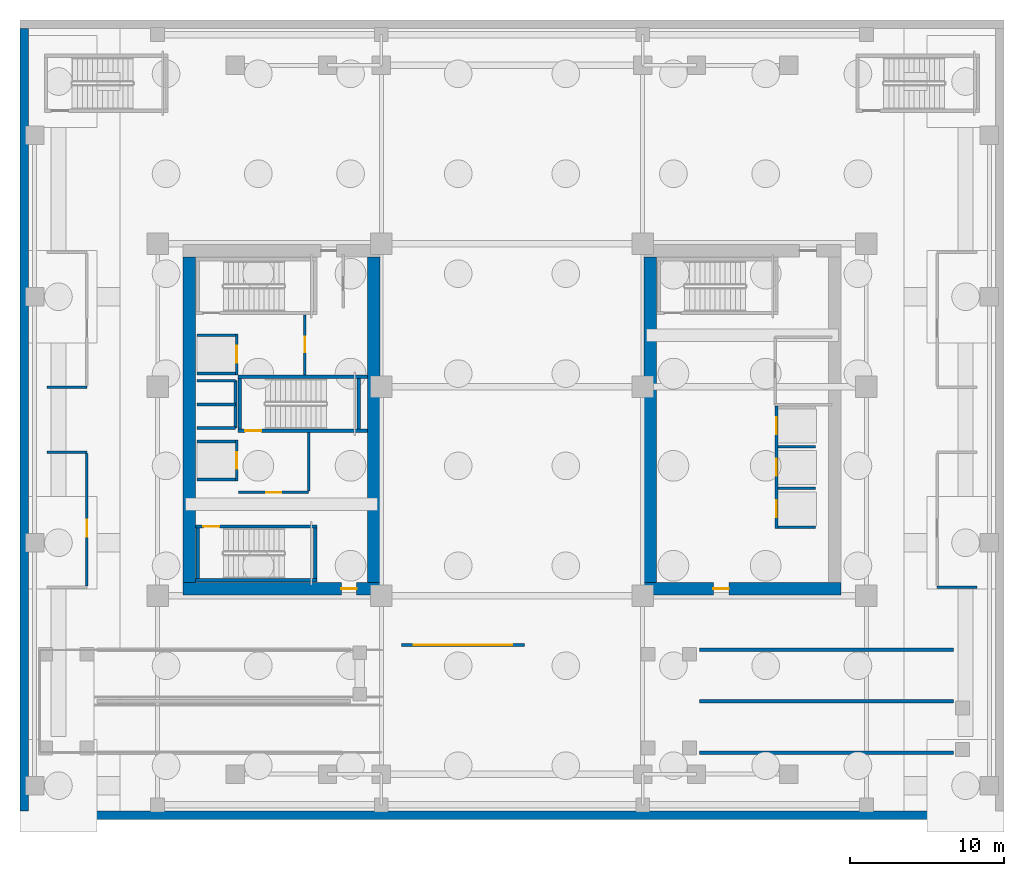
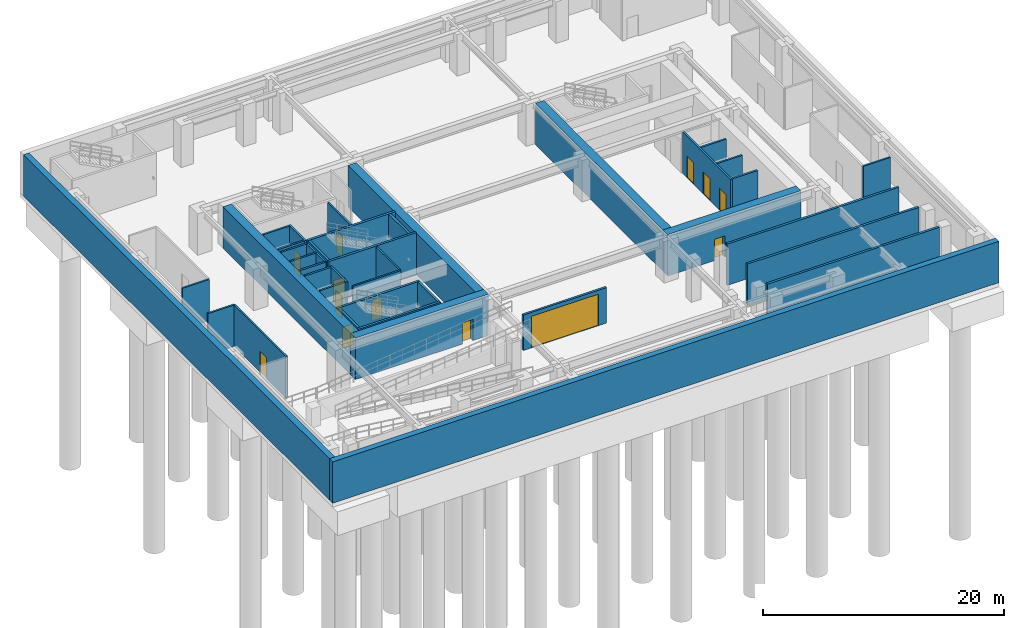
# One storey, part 3 of 9: 40 walls, 13 doors, 13 openings.
"""IFC4 building model written with IfcOpenShell, lengths in metres."""

from ifc_helpers import new_model, si_unit, direction, frame, frame_2d, origin, place, context, subcontext, project, spatial, rectangle, extrude, source, transform, mapped, material, layer, layer_set, type_object, element, fill, save


model = new_model("IFC4")

# Units and contexts
model_context = context("Model", 3, precision=1e-05, world=origin(), true_north=direction((0.0, 1.0)))
body_context = subcontext(model_context, "Body", "Model", "MODEL_VIEW")
ifc_project = project(units=[si_unit("LENGTHUNIT", "METRE"), si_unit("AREAUNIT", "SQUARE_METRE"), si_unit("VOLUMEUNIT", "CUBIC_METRE"), si_unit("PLANEANGLEUNIT", "RADIAN"), si_unit("MASSUNIT", "GRAM", prefix="KILO")], contexts=[model_context])

# Site, building, storey
site_placement = place(None, origin())
site = spatial("IfcSite", under=ifc_project, at=site_placement, CompositionType="ELEMENT")
building_placement = place(site_placement, origin())
building = spatial("IfcBuilding", under=site, at=building_placement, Name="Ocotamira Hotel", CompositionType="ELEMENT")
storey_placement = place(building_placement, frame((0.0, 0.0, -9.0)))
storey = spatial("IfcBuildingStorey", under=building, at=storey_placement, Name="B02", CompositionType="ELEMENT", Elevation=-9.0)

# Wall, opening, door
ifc_material_1 = material(Name="Concrete C60/75", Category="concrete")
ifc_layer_1 = layer(ifc_material_1, 0.800048828125)
ifc_layer_set_1 = layer_set([ifc_layer_1], Name="Concrete C60/75")
wall_type_1 = type_object("IfcWallType", Name="WL-CORE-800", PredefinedType="SHEAR", material=ifc_layer_set_1)
wall_1_placement = place(storey_placement, frame((10.60009765625, 15.0, 0.0), z_axis=(0.0, 0.0, 1.0), x_axis=(1.0, 0.0, 0.0)))
wall_1 = element("IfcWall", 1, at=wall_1_placement, inside=storey, type_object=wall_type_1, Name="B02 Shear Core Wall WCORE-S", PredefinedType="SHEAR", context=body_context, shape_type="SweptSolid", body=[
    extrude(rectangle(XDim=12.7998046875, YDim=0.800048828125, at=frame_2d((6.39990234375, 0.0))), origin(), (0.0, 0.0, 1.0), 4.199951171875),
])
opening_1_placement = place(wall_1_placement, frame((10.300048828125, 0.0, 0.0)))
opening_1 = element("IfcOpeningElement", 2, at=opening_1_placement, cuts=wall_1, Name="Opening D-FR2", PredefinedType="OPENING", context=body_context, shape_type="SweptSolid", body=[
    extrude(rectangle(XDim=1.0, YDim=2.14990234375, at=frame_2d((0.5, 1.074951171875))), frame((0.0, 0.41015625, 0.0), z_axis=(0.0, -1.0, 0.0), x_axis=(1.0, 0.0, 0.0)), (0.0, 0.0, 1.0), 0.820068359375),
])
ifc_material_2 = material(Name="Fire-rated acoustic timber-veneer door", Category="wood")
door_type_1 = type_object("IfcDoorType", Name="DR-FIRE-1000", OperationType="NOTDEFINED", PredefinedType="DOOR", material=ifc_material_2)
shared_shape_1 = source(origin(), body_context, "Body", "SweptSolid", [
    extrude(rectangle(XDim=1.0, YDim=2.14990234375, at=frame_2d((0.5, 1.074951171875))), frame((0.0, 0.02490234375, 0.0), z_axis=(0.0, -1.0, 0.0), x_axis=(1.0, 0.0, 0.0)), (0.0, 0.0, 1.0), 0.050048828125),
])
door_1_placement = place(opening_1_placement, origin())
door_1 = element("IfcDoor", 3, at=door_1_placement, inside=storey, type_object=door_type_1, Name="B02 Door ID-B02-WLOB-S-D [ID-B02-WLOB-S-D]", OperationType="SINGLE_SWING_LEFT", OverallHeight=2.14990234375, OverallWidth=1.0, PredefinedType="DOOR", context=body_context, shape_type="MappedRepresentation", body=[
    mapped(shared_shape_1, transform((0.0, 0.0, 0.0), scale=1.0)),
])
fill(opening_1, door_1)

# Walls
for number, where, z_axis, x_axis, name in (
    (4, (11.0, 15.39990234375, 0.0), (0.0, 0.0, 1.0), (0.0, 1.0, 0.0), "B02 Shear Core Wall WCORE-W"),
    (5, (23.0, 15.39990234375, 0.0), (0.0, 0.0, 1.0), (0.0, 1.0, 0.0), "B02 Shear Core Wall WCORE-E"),
):
    element("IfcWall", number, at=place(storey_placement, frame(where, z_axis=z_axis, x_axis=x_axis)), inside=storey, type_object=wall_type_1, Name=name, PredefinedType="SHEAR", context=body_context, shape_type="SweptSolid", body=[
        extrude(rectangle(XDim=21.2001953125, YDim=0.800048828125, at=frame_2d((10.60009765625, 0.0))), origin(), (0.0, 0.0, 1.0), 4.199951171875),
    ])

# Wall, opening, door
wall_2_placement = place(storey_placement, frame((40.60009765625, 15.0, 0.0), z_axis=(0.0, 0.0, 1.0), x_axis=(1.0, 0.0, 0.0)))
wall_2 = element("IfcWall", 6, at=wall_2_placement, inside=storey, type_object=wall_type_1, Name="B02 Shear Core Wall ECORE-S", PredefinedType="SHEAR", context=body_context, shape_type="SweptSolid", body=[
    extrude(rectangle(XDim=12.7998046875, YDim=0.800048828125, at=frame_2d((6.39990234375, 0.0))), origin(), (0.0, 0.0, 1.0), 4.199951171875),
])
opening_2_placement = place(wall_2_placement, frame((4.5, 0.0, 0.0)))
opening_2 = element("IfcOpeningElement", 7, at=opening_2_placement, cuts=wall_2, Name="Opening D-FR2", PredefinedType="OPENING", context=body_context, shape_type="SweptSolid", body=[
    extrude(rectangle(XDim=1.0, YDim=2.14990234375, at=frame_2d((0.5, 1.074951171875))), frame((0.0, 0.41015625, 0.0), z_axis=(0.0, -1.0, 0.0), x_axis=(1.0, 0.0, 0.0)), (0.0, 0.0, 1.0), 0.820068359375),
])
door_2_placement = place(opening_2_placement, origin())
door_2 = element("IfcDoor", 8, at=door_2_placement, inside=storey, type_object=door_type_1, Name="B02 Door ID-B02-ELOB-S-D [ID-B02-ELOB-S-D]", OperationType="SINGLE_SWING_RIGHT", OverallHeight=2.14990234375, OverallWidth=1.0, PredefinedType="DOOR", context=body_context, shape_type="MappedRepresentation", body=[
    mapped(shared_shape_1, transform((0.0, 0.0, 0.0), scale=1.0)),
])
fill(opening_2, door_2)

# Wall
wall_3_placement = place(storey_placement, frame((41.0, 15.39990234375, 0.0), z_axis=(0.0, 0.0, 1.0), x_axis=(0.0, 1.0, 0.0)))
element("IfcWall", 9, at=wall_3_placement, inside=storey, type_object=wall_type_1, Name="B02 Shear Core Wall ECORE-W", PredefinedType="SHEAR", context=body_context, shape_type="SweptSolid", body=[
    extrude(rectangle(XDim=21.2001953125, YDim=0.800048828125, at=frame_2d((10.60009765625, 0.0))), origin(), (0.0, 0.0, 1.0), 4.199951171875),
])

# Wall, opening, door
ifc_material_3 = material(Name="Acoustic double-layer fire gypsum board partition", Category="gypsum")
ifc_layer_2 = layer(ifc_material_3, 0.159912109375)
ifc_layer_set_2 = layer_set([ifc_layer_2], Name="Acoustic double-layer fire gypsum board partition")
wall_type_2 = type_object("IfcWallType", Name="WL-FIRE-160", PredefinedType="PARTITIONING", material=ifc_layer_set_2)
wall_4_placement = place(storey_placement, frame((14.199951171875, 21.27001953125, 0.0), z_axis=(0.0, 0.0, 1.0), x_axis=(1.0, 0.0, 0.0)))
wall_4 = element("IfcWall", 10, at=wall_4_placement, inside=storey, type_object=wall_type_2, Name="B02 Interior Wall PW-B02-FSAE1-S", PredefinedType="PARTITIONING", context=body_context, shape_type="SweptSolid", body=[
    extrude(rectangle(XDim=4.580078125, YDim=0.159912109375, at=frame_2d((2.2900390625, 0.0))), origin(), (0.0, 0.0, 1.0), 4.199951171875),
])
opening_3_placement = place(wall_4_placement, frame((1.800048828125, 0.0, 0.0)))
opening_3 = element("IfcOpeningElement", 11, at=opening_3_placement, cuts=wall_4, Name="Opening D-FR2", PredefinedType="OPENING", context=body_context, shape_type="SweptSolid", body=[
    extrude(rectangle(XDim=1.0, YDim=2.14990234375, at=frame_2d((0.5, 1.074951171875))), frame((0.0, 0.08984375, 0.0), z_axis=(0.0, -1.0, 0.0), x_axis=(1.0, 0.0, 0.0)), (0.0, 0.0, 1.0), 0.179931640625),
])
door_3_placement = place(opening_3_placement, origin())
door_3 = element("IfcDoor", 12, at=door_3_placement, inside=storey, type_object=door_type_1, Name="B02 Door ID-B02-FSAE1-D [ID-B02-FSAE1-D]", OperationType="SINGLE_SWING_LEFT", OverallHeight=2.14990234375, OverallWidth=1.0, PredefinedType="DOOR", context=body_context, shape_type="MappedRepresentation", body=[
    mapped(shared_shape_1, transform((0.0, 0.0, 0.0), scale=1.0)),
])
fill(opening_3, door_3)

# Wall
wall_5_placement = place(storey_placement, frame((18.780029296875, 21.35009765625, 0.0), z_axis=(0.0, 0.0, 1.0), x_axis=(0.0, 1.0, 0.0)))
element("IfcWall", 13, at=wall_5_placement, inside=storey, type_object=wall_type_2, Name="B02 Interior Wall PW-B02-FSAE1-E", PredefinedType="PARTITIONING", context=body_context, shape_type="SweptSolid", body=[
    extrude(rectangle(XDim=3.809814453125, YDim=0.159912109375, at=frame_2d((1.90478515625, 0.0))), origin(), (0.0, 0.0, 1.0), 4.199951171875),
])

# Wall, opening, door
wall_6_placement = place(storey_placement, frame((18.530029296875, 28.89990234375, 0.0), z_axis=(0.0, 0.0, 1.0), x_axis=(0.0, 1.0, 0.0)))
wall_6 = element("IfcWall", 14, at=wall_6_placement, inside=storey, type_object=wall_type_2, Name="B02 Interior Wall PW-B02-FSAE2-E", PredefinedType="PARTITIONING", context=body_context, shape_type="SweptSolid", body=[
    extrude(rectangle(XDim=3.900146484375, YDim=0.159912109375, at=frame_2d((1.9501953125, 0.0))), origin(), (0.0, 0.0, 1.0), 4.199951171875),
])
opening_4_placement = place(wall_6_placement, frame((1.5, 0.0, 0.0)))
opening_4 = element("IfcOpeningElement", 15, at=opening_4_placement, cuts=wall_6, Name="Opening D-FR2", PredefinedType="OPENING", context=body_context, shape_type="SweptSolid", body=[
    extrude(rectangle(XDim=1.0, YDim=2.14990234375, at=frame_2d((0.5, 1.074951171875))), frame((0.0, 0.08984375, 0.0), z_axis=(0.0, -1.0, 0.0), x_axis=(1.0, 0.0, 0.0)), (0.0, 0.0, 1.0), 0.179931640625),
])
door_4_placement = place(opening_4_placement, origin())
door_4 = element("IfcDoor", 16, at=door_4_placement, inside=storey, type_object=door_type_1, Name="B02 Door ID-B02-FSAE2-D [ID-B02-FSAE2-D]", OperationType="SINGLE_SWING_RIGHT", OverallHeight=2.14990234375, OverallWidth=1.0, PredefinedType="DOOR", context=body_context, shape_type="MappedRepresentation", body=[
    mapped(shared_shape_1, transform((0.0, 0.0, 0.0), scale=1.0)),
])
fill(opening_4, door_4)

# Wall
wall_7_placement = place(storey_placement, frame((1.75, 23.8798828125, 0.0), z_axis=(0.0, 0.0, 1.0), x_axis=(1.0, 0.0, 0.0)))
element("IfcWall", 17, at=wall_7_placement, inside=storey, type_object=wall_type_2, Name="B02 Interior Wall PW-B02-B02-SUB-N", PredefinedType="PARTITIONING", context=body_context, shape_type="SweptSolid", body=[
    extrude(rectangle(XDim=2.60009765625, YDim=0.159912109375, at=frame_2d((1.300048828125, 0.0))), origin(), (0.0, 0.0, 1.0), 4.199951171875),
])

# Wall, opening, door
wall_8_placement = place(storey_placement, frame((4.35009765625, 15.199951171875, 0.0), z_axis=(0.0, 0.0, 1.0), x_axis=(0.0, 1.0, 0.0)))
wall_8 = element("IfcWall", 18, at=wall_8_placement, inside=storey, type_object=wall_type_2, Name="B02 Interior Wall PW-B02-B02-SUB-E", PredefinedType="PARTITIONING", context=body_context, shape_type="SweptSolid", body=[
    extrude(rectangle(XDim=8.60009765625, YDim=0.159912109375, at=frame_2d((4.300048828125, 0.0))), origin(), (0.0, 0.0, 1.0), 4.199951171875),
])
opening_5_placement = place(wall_8_placement, frame((3.199951171875, 0.0, 0.0)))
opening_5 = element("IfcOpeningElement", 19, at=opening_5_placement, cuts=wall_8, Name="Opening D-FR1", PredefinedType="OPENING", context=body_context, shape_type="SweptSolid", body=[
    extrude(rectangle(XDim=1.10009765625, YDim=2.14990234375, at=frame_2d((0.550048828125, 1.074951171875))), frame((0.0, 0.08984375, 0.0), z_axis=(0.0, -1.0, 0.0), x_axis=(1.0, 0.0, 0.0)), (0.0, 0.0, 1.0), 0.179931640625),
])
door_type_2 = type_object("IfcDoorType", Name="DR-FIRE-1100", OperationType="NOTDEFINED", PredefinedType="DOOR", material=ifc_material_2)
shared_shape_2 = source(origin(), body_context, "Body", "SweptSolid", [
    extrude(rectangle(XDim=1.10009765625, YDim=2.14990234375, at=frame_2d((0.550048828125, 1.074951171875))), frame((0.0, 0.02490234375, 0.0), z_axis=(0.0, -1.0, 0.0), x_axis=(1.0, 0.0, 0.0)), (0.0, 0.0, 1.0), 0.050048828125),
])
door_5_placement = place(opening_5_placement, origin())
door_5 = element("IfcDoor", 20, at=door_5_placement, inside=storey, type_object=door_type_2, Name="B02 Door ID-B02-B02-SUB-D [ID-B02-B02-SUB-D]", OperationType="SINGLE_SWING_LEFT", OverallHeight=2.14990234375, OverallWidth=1.10009765625, PredefinedType="DOOR", context=body_context, shape_type="MappedRepresentation", body=[
    mapped(shared_shape_2, transform((0.0, 0.0, 0.0), scale=1.0)),
])
fill(opening_5, door_5)

# Walls
for number, where, z_axis, x_axis, name in (
    (21, (1.75, 28.1201171875, 0.0), (0.0, 0.0, 1.0), (1.0, 0.0, 0.0), "B02 Interior Wall PW-B02-B02-TANK-S"),
    (22, (59.64990234375, 15.1201171875, 0.0), (0.0, 0.0, 1.0), (1.0, 0.0, 0.0), "B02 Interior Wall PW-B02-B02-PUMP-S"),
):
    element("IfcWall", number, at=place(storey_placement, frame(where, z_axis=z_axis, x_axis=x_axis)), inside=storey, type_object=wall_type_2, Name=name, PredefinedType="PARTITIONING", context=body_context, shape_type="SweptSolid", body=[
        extrude(rectangle(XDim=2.60009765625, YDim=0.159912109375, at=frame_2d((1.300048828125, 0.0))), origin(), (0.0, 0.0, 1.0), 4.199951171875),
    ])
ifc_material_4 = material(Name="Concrete C50/60", Category="concrete")
ifc_layer_3 = layer(ifc_material_4, 0.550048828125)
ifc_layer_set_3 = layer_set([ifc_layer_3], Name="Concrete C50/60")
wall_type_3 = type_object("IfcWallType", Name="WL-RET-550", PredefinedType="USERDEFINED", material=ifc_layer_set_3)
wall_9_placement = place(storey_placement, frame((0.0, 0.27490234375, 0.0), z_axis=(0.0, 0.0, 1.0), x_axis=(1.0, 0.0, 0.0)))
element("IfcWall", 23, at=wall_9_placement, inside=storey, type_object=wall_type_3, Name="B02 Shear Core Wall RW-PERIM-S", ObjectType="RETAINING WALL", PredefinedType="USERDEFINED", context=body_context, shape_type="SweptSolid", body=[
    extrude(rectangle(XDim=64.0, YDim=0.550048828125, at=frame_2d((32.0, 0.0))), origin(), (0.0, 0.0, 1.0), 4.199951171875),
])
wall_10_placement = place(storey_placement, frame((0.27490234375, 0.550048828125, 0.0), z_axis=(0.0, 0.0, 1.0), x_axis=(0.0, 1.0, 0.0)))
element("IfcWall", 24, at=wall_10_placement, inside=storey, type_object=wall_type_3, Name="B02 Shear Core Wall RW-PERIM-W", ObjectType="RETAINING WALL", PredefinedType="USERDEFINED", context=body_context, shape_type="SweptSolid", body=[
    extrude(rectangle(XDim=50.89990234375, YDim=0.550048828125, at=frame_2d((25.449951171875, 0.0))), origin(), (0.0, 0.0, 1.0), 4.199951171875),
])

# Wall, openings, doors
ifc_material_5 = material(Name="Fire-rated gypsum shaftliner board assembly", Category="gypsum")
ifc_layer_4 = layer(ifc_material_5, 0.179931640625)
ifc_layer_set_4 = layer_set([ifc_layer_4], Name="Fire-rated gypsum shaftliner board assembly")
wall_type_4 = type_object("IfcWallType", Name="WL-SHAFT-180", PredefinedType="SOLIDWALL", material=ifc_layer_set_4)
wall_11_placement = place(storey_placement, frame((49.2099609375, 18.919921875, 0.0), z_axis=(0.0, 0.0, 1.0), x_axis=(0.0, 1.0, 0.0)))
wall_11 = element("IfcWall", 25, at=wall_11_placement, inside=storey, type_object=wall_type_4, Name="B02 Interior Wall PW-B02-LFW-BANK-low-F", PredefinedType="SOLIDWALL", context=body_context, shape_type="SweptSolid", body=[
    extrude(rectangle(XDim=7.9599609375, YDim=0.179931640625, at=frame_2d((3.97998046875, 0.0))), origin(), (0.0, 0.0, 1.0), 4.199951171875),
])
opening_6_placement = place(wall_11_placement, frame((0.72998046875, 0.0, 0.0)))
opening_6 = element("IfcOpeningElement", 26, at=opening_6_placement, cuts=wall_11, Name="Opening LD-LF-P1", PredefinedType="OPENING", context=body_context, shape_type="SweptSolid", body=[
    extrude(rectangle(XDim=1.10009765625, YDim=2.199951171875, at=frame_2d((0.550048828125, 1.10009765625))), frame((0.0, 0.10009765625, 0.0), z_axis=(0.0, -1.0, 0.0), x_axis=(1.0, 0.0, 0.0)), (0.0, 0.0, 1.0), 0.199951171875),
])
opening_7_placement = place(wall_11_placement, frame((3.429931640625, 0.0, 0.0)))
opening_7 = element("IfcOpeningElement", 27, at=opening_7_placement, cuts=wall_11, Name="Opening LD-LF-P2", PredefinedType="OPENING", context=body_context, shape_type="SweptSolid", body=[
    extrude(rectangle(XDim=1.10009765625, YDim=2.199951171875, at=frame_2d((0.550048828125, 1.10009765625))), frame((0.0, 0.10009765625, 0.0), z_axis=(0.0, -1.0, 0.0), x_axis=(1.0, 0.0, 0.0)), (0.0, 0.0, 1.0), 0.199951171875),
])
opening_8_placement = place(wall_11_placement, frame((6.1298828125, 0.0, 0.0)))
opening_8 = element("IfcOpeningElement", 28, at=opening_8_placement, cuts=wall_11, Name="Opening LD-LF-P3", PredefinedType="OPENING", context=body_context, shape_type="SweptSolid", body=[
    extrude(rectangle(XDim=1.10009765625, YDim=2.199951171875, at=frame_2d((0.550048828125, 1.10009765625))), frame((0.0, 0.10009765625, 0.0), z_axis=(0.0, -1.0, 0.0), x_axis=(1.0, 0.0, 0.0)), (0.0, 0.0, 1.0), 0.199951171875),
])
ifc_material_6 = material(Name="Brushed pale-metal stainless elevator landing door", Category="steel")
door_type_3 = type_object("IfcDoorType", Name="DR-LIFT-1100", OperationType="NOTDEFINED", PredefinedType="DOOR", material=ifc_material_6)
shared_shape_3 = source(origin(), body_context, "Body", "SweptSolid", [
    extrude(rectangle(XDim=1.10009765625, YDim=2.199951171875, at=frame_2d((0.550048828125, 1.10009765625))), frame((0.0, 0.02490234375, 0.0), z_axis=(0.0, -1.0, 0.0), x_axis=(1.0, 0.0, 0.0)), (0.0, 0.0, 1.0), 0.050048828125),
])
door_6_placement = place(opening_6_placement, origin())
door_6 = element("IfcDoor", 29, at=door_6_placement, inside=storey, type_object=door_type_3, Name="B02 Landing Door LD-LF-P1 [ID-B02-LD-LF-P1]", OperationType="DOUBLE_DOOR_SLIDING", OverallHeight=2.199951171875, OverallWidth=1.10009765625, PredefinedType="DOOR", context=body_context, shape_type="MappedRepresentation", body=[
    mapped(shared_shape_3, transform((0.0, 0.0, 0.0), scale=1.0)),
])
fill(opening_6, door_6)
door_7_placement = place(opening_7_placement, origin())
door_7 = element("IfcDoor", 30, at=door_7_placement, inside=storey, type_object=door_type_3, Name="B02 Landing Door LD-LF-P2 [ID-B02-LD-LF-P2]", OperationType="DOUBLE_DOOR_SLIDING", OverallHeight=2.199951171875, OverallWidth=1.10009765625, PredefinedType="DOOR", context=body_context, shape_type="MappedRepresentation", body=[
    mapped(shared_shape_3, transform((0.0, 0.0, 0.0), scale=1.0)),
])
fill(opening_7, door_7)
door_8_placement = place(opening_8_placement, origin())
door_8 = element("IfcDoor", 31, at=door_8_placement, inside=storey, type_object=door_type_3, Name="B02 Landing Door LD-LF-P3 [ID-B02-LD-LF-P3]", OperationType="DOUBLE_DOOR_SLIDING", OverallHeight=2.199951171875, OverallWidth=1.10009765625, PredefinedType="DOOR", context=body_context, shape_type="MappedRepresentation", body=[
    mapped(shared_shape_3, transform((0.0, 0.0, 0.0), scale=1.0)),
])
fill(opening_8, door_8)

# Walls
for number, where, z_axis, x_axis, name in (
    (32, (49.300048828125, 19.010009765625, 0.0), (0.0, 0.0, 1.0), (1.0, 0.0, 0.0), "B02 Interior Wall PW-B02-LFW-BANK-low-S"),
    (33, (49.300048828125, 21.550048828125, 0.0), (0.0, 0.0, 1.0), (1.0, 0.0, 0.0), "B02 Interior Wall PW-B02-LFW-DIV-LF-P1"),
    (34, (49.300048828125, 24.25, 0.0), (0.0, 0.0, 1.0), (1.0, 0.0, 0.0), "B02 Interior Wall PW-B02-LFW-DIV-LF-P2"),
):
    element("IfcWall", number, at=place(storey_placement, frame(where, z_axis=z_axis, x_axis=x_axis)), inside=storey, type_object=wall_type_4, Name=name, PredefinedType="SOLIDWALL", context=body_context, shape_type="SweptSolid", body=[
        extrude(rectangle(XDim=2.449951171875, YDim=0.179931640625, at=frame_2d((1.22509765625, 0.0))), origin(), (0.0, 0.0, 1.0), 4.199951171875),
    ])
for number, where, z_axis, x_axis, name in (
    (35, (11.5, 22.110107421875, 0.0), (0.0, 0.0, 1.0), (1.0, 0.0, 0.0), "B02 Interior Wall PW-B02-LFW-LF-FSAE1-S"),
    (36, (11.5, 24.590087890625, 0.0), (0.0, 0.0, 1.0), (1.0, 0.0, 0.0), "B02 Interior Wall PW-B02-LFW-LF-FSAE1-N"),
):
    element("IfcWall", number, at=place(storey_placement, frame(where, z_axis=z_axis, x_axis=x_axis)), inside=storey, type_object=wall_type_4, Name=name, PredefinedType="SOLIDWALL", context=body_context, shape_type="SweptSolid", body=[
        extrude(rectangle(XDim=2.5, YDim=0.179931640625, at=frame_2d((1.25, 0.0))), origin(), (0.0, 0.0, 1.0), 4.199951171875),
    ])

# Wall, opening, door
wall_12_placement = place(storey_placement, frame((14.090087890625, 22.02001953125, 0.0), z_axis=(0.0, 0.0, 1.0), x_axis=(0.0, 1.0, 0.0)))
wall_12 = element("IfcWall", 37, at=wall_12_placement, inside=storey, type_object=wall_type_4, Name="B02 Interior Wall PW-B02-LFW-LF-FSAE1-E", PredefinedType="SOLIDWALL", context=body_context, shape_type="SweptSolid", body=[
    extrude(rectangle(XDim=2.659912109375, YDim=0.179931640625, at=frame_2d((1.330078125, 0.0))), origin(), (0.0, 0.0, 1.0), 4.199951171875),
])
opening_9_placement = place(wall_12_placement, frame((0.780029296875, 0.0, 0.0)))
opening_9 = element("IfcOpeningElement", 38, at=opening_9_placement, cuts=wall_12, Name="Opening LD-LF-FSAE1", PredefinedType="OPENING", context=body_context, shape_type="SweptSolid", body=[
    extrude(rectangle(XDim=1.10009765625, YDim=2.199951171875, at=frame_2d((0.550048828125, 1.10009765625))), frame((0.0, 0.10009765625, 0.0), z_axis=(0.0, -1.0, 0.0), x_axis=(1.0, 0.0, 0.0)), (0.0, 0.0, 1.0), 0.199951171875),
])
door_9_placement = place(opening_9_placement, origin())
door_9 = element("IfcDoor", 39, at=door_9_placement, inside=storey, type_object=door_type_3, Name="B02 Landing Door LD-LF-FSAE1 [ID-B02-LD-LF-FSAE1]", OperationType="DOUBLE_DOOR_SLIDING", OverallHeight=2.199951171875, OverallWidth=1.10009765625, PredefinedType="DOOR", context=body_context, shape_type="MappedRepresentation", body=[
    mapped(shared_shape_3, transform((0.0, 0.0, 0.0), scale=1.0)),
])
fill(opening_9, door_9)

# Walls
for number, where, z_axis, x_axis, name in (
    (40, (11.5, 29.010009765625, 0.0), (0.0, 0.0, 1.0), (1.0, 0.0, 0.0), "B02 Interior Wall PW-B02-LFW-LF-FSAE2-S"),
    (41, (11.5, 31.489990234375, 0.0), (0.0, 0.0, 1.0), (1.0, 0.0, 0.0), "B02 Interior Wall PW-B02-LFW-LF-FSAE2-N"),
):
    element("IfcWall", number, at=place(storey_placement, frame(where, z_axis=z_axis, x_axis=x_axis)), inside=storey, type_object=wall_type_4, Name=name, PredefinedType="SOLIDWALL", context=body_context, shape_type="SweptSolid", body=[
        extrude(rectangle(XDim=2.5, YDim=0.179931640625, at=frame_2d((1.25, 0.0))), origin(), (0.0, 0.0, 1.0), 4.199951171875),
    ])

# Wall, opening, door
wall_13_placement = place(storey_placement, frame((14.090087890625, 28.919921875, 0.0), z_axis=(0.0, 0.0, 1.0), x_axis=(0.0, 1.0, 0.0)))
wall_13 = element("IfcWall", 42, at=wall_13_placement, inside=storey, type_object=wall_type_4, Name="B02 Interior Wall PW-B02-LFW-LF-FSAE2-E", PredefinedType="SOLIDWALL", context=body_context, shape_type="SweptSolid", body=[
    extrude(rectangle(XDim=2.66015625, YDim=0.179931640625, at=frame_2d((1.330078125, 0.0))), origin(), (0.0, 0.0, 1.0), 4.199951171875),
])
opening_10_placement = place(wall_13_placement, frame((0.780029296875, 0.0, 0.0)))
opening_10 = element("IfcOpeningElement", 43, at=opening_10_placement, cuts=wall_13, Name="Opening LD-LF-FSAE2", PredefinedType="OPENING", context=body_context, shape_type="SweptSolid", body=[
    extrude(rectangle(XDim=1.10009765625, YDim=2.199951171875, at=frame_2d((0.550048828125, 1.10009765625))), frame((0.0, 0.10009765625, 0.0), z_axis=(0.0, -1.0, 0.0), x_axis=(1.0, 0.0, 0.0)), (0.0, 0.0, 1.0), 0.199951171875),
])
door_10_placement = place(opening_10_placement, origin())
door_10 = element("IfcDoor", 44, at=door_10_placement, inside=storey, type_object=door_type_3, Name="B02 Landing Door LD-LF-FSAE2 [ID-B02-LD-LF-FSAE2]", OperationType="DOUBLE_DOOR_SLIDING", OverallHeight=2.199951171875, OverallWidth=1.10009765625, PredefinedType="DOOR", context=body_context, shape_type="MappedRepresentation", body=[
    mapped(shared_shape_3, transform((0.0, 0.0, 0.0), scale=1.0)),
])
fill(opening_10, door_10)

# Walls
for number, where, z_axis, x_axis, name in (
    (45, (11.5, 25.4599609375, 0.0), (0.0, 0.0, 1.0), (1.0, 0.0, 0.0), "B02 Interior Wall PW-B02-RSW-S"),
    (46, (11.5, 27.0, 0.0), (0.0, 0.0, 1.0), (1.0, 0.0, 0.0), "B02 Interior Wall PW-B02-RSW-MID"),
    (47, (11.5, 28.5400390625, 0.0), (0.0, 0.0, 1.0), (1.0, 0.0, 0.0), "B02 Interior Wall PW-B02-RSW-N"),
):
    element("IfcWall", number, at=place(storey_placement, frame(where, z_axis=z_axis, x_axis=x_axis)), inside=storey, type_object=wall_type_4, Name=name, PredefinedType="SOLIDWALL", context=body_context, shape_type="SweptSolid", body=[
        extrude(rectangle(XDim=2.510009765625, YDim=0.179931640625, at=frame_2d((1.2548828125, 0.0))), origin(), (0.0, 0.0, 1.0), 4.199951171875),
    ])
wall_14_placement = place(storey_placement, frame((14.010009765625, 25.4599609375, 0.0), z_axis=(0.0, 0.0, 1.0), x_axis=(0.0, 1.0, 0.0)))
element("IfcWall", 48, at=wall_14_placement, inside=storey, type_object=wall_type_4, Name="B02 Interior Wall PW-B02-RSW-E", PredefinedType="SOLIDWALL", context=body_context, shape_type="SweptSolid", body=[
    extrude(rectangle(XDim=3.080078125, YDim=0.179931640625, at=frame_2d((1.5400390625, 0.0))), origin(), (0.0, 0.0, 1.0), 4.199951171875),
])

# Wall, opening, door
ifc_material_7 = material(Name="Concrete blockwork C30/37", Category="masonry")
ifc_layer_5 = layer(ifc_material_7, 0.199951171875)
ifc_layer_set_5 = layer_set([ifc_layer_5], Name="Concrete blockwork C30/37")
wall_type_5 = type_object("IfcWallType", Name="WL-SHAFT-200", PredefinedType="SOLIDWALL", material=ifc_layer_set_5)
wall_15_placement = place(storey_placement, frame((24.800048828125, 11.35009765625, 0.0), z_axis=(0.0, 0.0, 1.0), x_axis=(1.0, 0.0, 0.0)))
wall_15 = element("IfcWall", 49, at=wall_15_placement, inside=storey, type_object=wall_type_5, Name="B02 Vehicle Ramp Security Portal Wall", PredefinedType="SOLIDWALL", context=body_context, shape_type="SweptSolid", body=[
    extrude(rectangle(XDim=8.0, YDim=0.199951171875, at=frame_2d((4.0, 0.0))), origin(), (0.0, 0.0, 1.0), 3.60009765625),
])
opening_11_placement = place(wall_15_placement, frame((0.800048828125, 0.0, 0.0)))
opening_11 = element("IfcOpeningElement", 50, at=opening_11_placement, cuts=wall_15, Name="Opening VG-01", PredefinedType="OPENING", context=body_context, shape_type="SweptSolid", body=[
    extrude(rectangle(XDim=6.39990234375, YDim=3.199951171875, at=frame_2d((3.199951171875, 1.60009765625))), frame((0.0, 0.10986328125, 0.0), z_axis=(0.0, -1.0, 0.0), x_axis=(1.0, 0.0, 0.0)), (0.0, 0.0, 1.0), 0.219970703125),
])
ifc_material_8 = material(Name="Perforated pale-metal security shutter", Category="aluminium")
door_type_4 = type_object("IfcDoorType", Name="DR-GATE-6400", OperationType="NOTDEFINED", PredefinedType="GATE", material=ifc_material_8)
shared_shape_4 = source(origin(), body_context, "Body", "SweptSolid", [
    extrude(rectangle(XDim=6.39990234375, YDim=3.199951171875, at=frame_2d((3.199951171875, 1.60009765625))), frame((0.0, 0.02490234375, 0.0), z_axis=(0.0, -1.0, 0.0), x_axis=(1.0, 0.0, 0.0)), (0.0, 0.0, 1.0), 0.050048828125),
])
door_11_placement = place(opening_11_placement, origin())
door_11 = element("IfcDoor", 51, at=door_11_placement, inside=storey, type_object=door_type_4, Name="B02 Vehicle Ramp Security Roller Shutter Gate VG-B02 [VG-B02]", OperationType="ROLLINGUP", OverallHeight=3.199951171875, OverallWidth=6.39990234375, PredefinedType="GATE", context=body_context, shape_type="MappedRepresentation", body=[
    mapped(shared_shape_4, transform((0.0, 0.0, 0.0), scale=1.0)),
])
fill(opening_11, door_11)

# Wall
ifc_layer_6 = layer(ifc_material_4, 0.219970703125)
ifc_layer_set_6 = layer_set([ifc_layer_6], Name="Concrete C50/60")
wall_type_6 = type_object("IfcWallType", Name="WL-STAIR-220", PredefinedType="SHEAR", material=ifc_layer_set_6)
wall_16_placement = place(storey_placement, frame((11.39990234375, 15.56005859375, 0.0), z_axis=(0.0, 0.0, 1.0), x_axis=(1.0, 0.0, 0.0)))
element("IfcWall", 52, at=wall_16_placement, inside=storey, type_object=wall_type_6, Name="B02 Stair Shaft Structural Wall ST-1-S", PredefinedType="SHEAR", context=body_context, shape_type="SweptSolid", body=[
    extrude(rectangle(XDim=7.91015625, YDim=0.219970703125, at=frame_2d((3.955078125, 0.0))), origin(), (0.0, 0.0, 1.0), 4.300048828125),
])

# Wall, opening, door
wall_17_placement = place(storey_placement, frame((11.39990234375, 19.06005859375, 0.0), z_axis=(0.0, 0.0, 1.0), x_axis=(1.0, 0.0, 0.0)))
wall_17 = element("IfcWall", 53, at=wall_17_placement, inside=storey, type_object=wall_type_6, Name="B02 Stair Shaft Structural Wall ST-1-N", PredefinedType="SHEAR", context=body_context, shape_type="SweptSolid", body=[
    extrude(rectangle(XDim=7.91015625, YDim=0.219970703125, at=frame_2d((3.955078125, 0.0))), origin(), (0.0, 0.0, 1.0), 4.300048828125),
])
opening_12_placement = place(wall_17_placement, frame((0.52001953125, 0.0, 0.0)))
opening_12 = element("IfcOpeningElement", 54, at=opening_12_placement, cuts=wall_17, Name="Opening D-ST2", PredefinedType="OPENING", context=body_context, shape_type="SweptSolid", body=[
    extrude(rectangle(XDim=1.050048828125, YDim=2.14990234375, at=frame_2d((0.52490234375, 1.074951171875))), frame((0.0, 0.1201171875, 0.0), z_axis=(0.0, -1.0, 0.0), x_axis=(1.0, 0.0, 0.0)), (0.0, 0.0, 1.0), 0.239990234375),
])
ifc_material_9 = material(Name="Insulated painted hollow-metal fire exit door", Category="steel")
door_type_5 = type_object("IfcDoorType", Name="DR-STAIR-1050", OperationType="NOTDEFINED", PredefinedType="DOOR", material=ifc_material_9)
shared_shape_5 = source(origin(), body_context, "Body", "SweptSolid", [
    extrude(rectangle(XDim=1.050048828125, YDim=2.14990234375, at=frame_2d((0.52490234375, 1.074951171875))), frame((0.0, 0.02490234375, 0.0), z_axis=(0.0, -1.0, 0.0), x_axis=(1.0, 0.0, 0.0)), (0.0, 0.0, 1.0), 0.050048828125),
])
door_12_placement = place(opening_12_placement, origin())
door_12 = element("IfcDoor", 55, at=door_12_placement, inside=storey, type_object=door_type_5, Name="B02 Door ID-B02-STD-ST-1 [ID-B02-STD-ST-1]", OperationType="SINGLE_SWING_RIGHT", OverallHeight=2.14990234375, OverallWidth=1.050048828125, PredefinedType="DOOR", context=body_context, shape_type="MappedRepresentation", body=[
    mapped(shared_shape_5, transform((0.0, 0.0, 0.0), scale=1.0)),
])
fill(opening_12, door_12)

# Walls
for number, where, z_axis, x_axis, name in (
    (56, (11.56005859375, 15.669921875, 0.0), (0.0, 0.0, 1.0), (0.0, 1.0, 0.0), "B02 Stair Shaft Structural Wall ST-1-W"),
    (57, (19.199951171875, 15.669921875, 0.0), (0.0, 0.0, 1.0), (0.0, 1.0, 0.0), "B02 Stair Shaft Structural Wall ST-1-E"),
):
    element("IfcWall", number, at=place(storey_placement, frame(where, z_axis=z_axis, x_axis=x_axis)), inside=storey, type_object=wall_type_6, Name=name, PredefinedType="SHEAR", context=body_context, shape_type="SweptSolid", body=[
        extrude(rectangle(XDim=3.280029296875, YDim=0.219970703125, at=frame_2d((1.64013671875, 0.0))), origin(), (0.0, 0.0, 1.0), 4.300048828125),
    ])

# Wall, opening, door
wall_18_placement = place(storey_placement, frame((14.179931640625, 25.2900390625, 0.0), z_axis=(0.0, 0.0, 1.0), x_axis=(1.0, 0.0, 0.0)))
wall_18 = element("IfcWall", 58, at=wall_18_placement, inside=storey, type_object=wall_type_6, Name="B02 Stair Shaft Structural Wall ST-3-S", PredefinedType="SHEAR", context=body_context, shape_type="SweptSolid", body=[
    extrude(rectangle(XDim=8.420166015625, YDim=0.219970703125, at=frame_2d((4.2099609375, 0.0))), origin(), (0.0, 0.0, 1.0), 4.300048828125),
])
opening_13_placement = place(wall_18_placement, frame((0.469970703125, 0.0, 0.0)))
opening_13 = element("IfcOpeningElement", 59, at=opening_13_placement, cuts=wall_18, Name="Opening D-ST2", PredefinedType="OPENING", context=body_context, shape_type="SweptSolid", body=[
    extrude(rectangle(XDim=1.050048828125, YDim=2.14990234375, at=frame_2d((0.52490234375, 1.074951171875))), frame((0.0, 0.1201171875, 0.0), z_axis=(0.0, -1.0, 0.0), x_axis=(1.0, 0.0, 0.0)), (0.0, 0.0, 1.0), 0.239990234375),
])
door_13_placement = place(opening_13_placement, origin())
door_13 = element("IfcDoor", 60, at=door_13_placement, inside=storey, type_object=door_type_5, Name="B02 Door ID-B02-STD-ST-3 [ID-B02-STD-ST-3]", OperationType="SINGLE_SWING_RIGHT", OverallHeight=2.14990234375, OverallWidth=1.050048828125, PredefinedType="DOOR", context=body_context, shape_type="MappedRepresentation", body=[
    mapped(shared_shape_5, transform((0.0, 0.0, 0.0), scale=1.0)),
])
fill(opening_13, door_13)

# Walls
wall_19_placement = place(storey_placement, frame((14.179931640625, 28.7900390625, 0.0), z_axis=(0.0, 0.0, 1.0), x_axis=(1.0, 0.0, 0.0)))
element("IfcWall", 61, at=wall_19_placement, inside=storey, type_object=wall_type_6, Name="B02 Stair Shaft Structural Wall ST-3-N", PredefinedType="SHEAR", context=body_context, shape_type="SweptSolid", body=[
    extrude(rectangle(XDim=8.420166015625, YDim=0.219970703125, at=frame_2d((4.2099609375, 0.0))), origin(), (0.0, 0.0, 1.0), 4.300048828125),
])
for number, where, z_axis, x_axis, name in (
    (62, (14.2900390625, 25.39990234375, 0.0), (0.0, 0.0, 1.0), (0.0, 1.0, 0.0), "B02 Stair Shaft Structural Wall ST-3-W"),
    (63, (22.030029296875, 25.39990234375, 0.0), (0.0, 0.0, 1.0), (0.0, 1.0, 0.0), "B02 Stair Shaft Structural Wall ST-3-E"),
):
    element("IfcWall", number, at=place(storey_placement, frame(where, z_axis=z_axis, x_axis=x_axis)), inside=storey, type_object=wall_type_6, Name=name, PredefinedType="SHEAR", context=body_context, shape_type="SweptSolid", body=[
        extrude(rectangle(XDim=3.280029296875, YDim=0.219970703125, at=frame_2d((1.64013671875, 0.0))), origin(), (0.0, 0.0, 1.0), 4.300048828125),
    ])
for number, where, z_axis, x_axis, name in (
    (64, (44.199951171875, 4.35009765625, 0.0), (0.0, 0.0, 1.0), (1.0, 0.0, 0.0), "B02 Ramp VR-2 Sub-Base South Wall"),
    (65, (44.199951171875, 7.699951171875, 0.0), (0.0, 0.0, 1.0), (1.0, 0.0, 0.0), "B02 Ramp VR-2 Sub-Base Spine Wall"),
    (66, (44.199951171875, 11.050048828125, 0.0), (0.0, 0.0, 1.0), (1.0, 0.0, 0.0), "B02 Ramp VR-2 Sub-Base North Wall"),
):
    element("IfcWall", number, at=place(storey_placement, frame(where, z_axis=z_axis, x_axis=x_axis)), inside=storey, type_object=wall_type_6, Name=name, PredefinedType="SHEAR", context=body_context, shape_type="SweptSolid", body=[
        extrude(rectangle(XDim=16.5, YDim=0.219970703125, at=frame_2d((8.25, 0.0))), origin(), (0.0, 0.0, 1.0), 4.199951171875),
    ])

save(model, "model.ifc")
